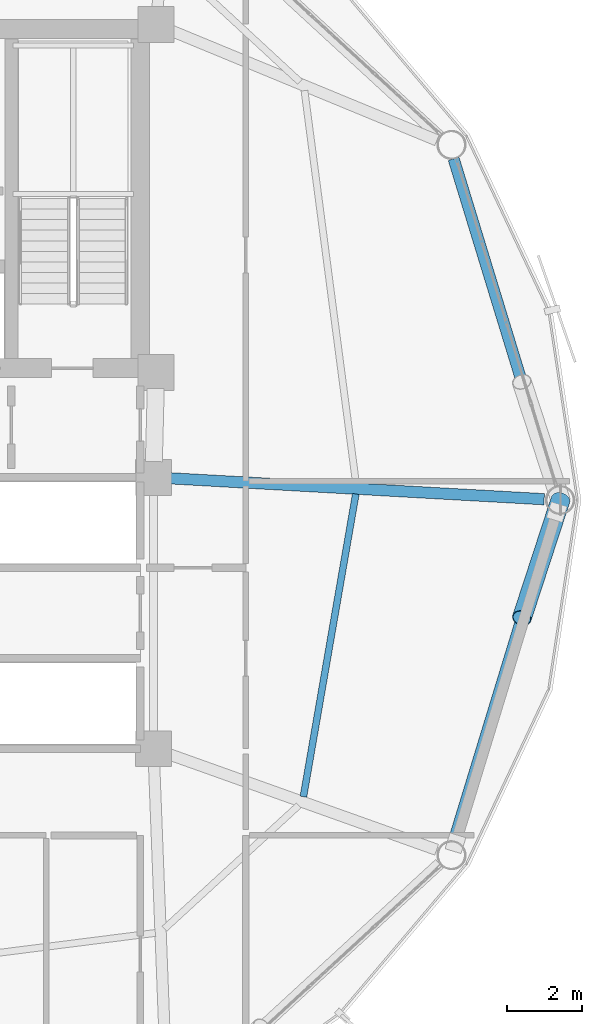
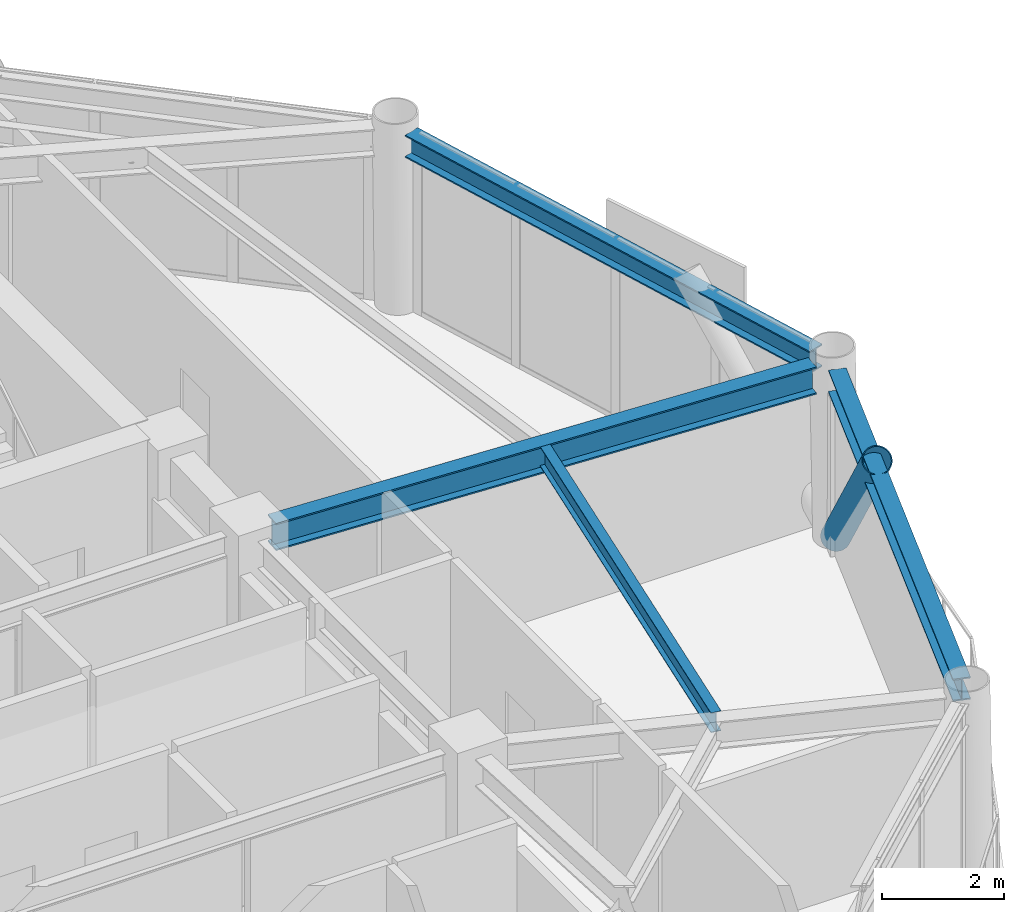
# One storey, part 15 of 25: 4 beams, 1 member.
"""IFC4 building model written with IfcOpenShell, lengths in metres."""

import ifcopenshell
import ifcopenshell.guid

model = None  # the IFC model being written
_history = None  # IfcOwnerHistory: only IFC2X3 demands one
_inside = {}  # id of a spatial element -> (the spatial element, [elements in it])
_under = {}  # id of a project, library or spatial element -> (it, [spatial elements below it])
_declared = {}  # id of a project -> (the project, [libraries it declares])
_typed = {}  # id of a type object -> (the type object, [elements of that type])
_made_of = {}  # id of a material, layer set ... -> (it, [elements and type objects made of it])


def new_model(schema):
    """Start an empty IFC model of exactly this schema.

    Asked for "IFC4X3", IfcOpenShell would pick the latest addendum, in which some entities
    have other attributes; the version numbers below select the first issue.
    IFC2X3 requires an IfcOwnerHistory on every rooted entity: one is made here for all.
    """
    global model, _history
    if schema == "IFC4X3":
        model = ifcopenshell.file(schema_version=(4, 3, 0, 0))
    else:
        model = ifcopenshell.file(schema=schema)
    _inside.clear()
    _under.clear()
    _declared.clear()
    _typed.clear()
    _made_of.clear()
    _history = None
    if model.schema == "IFC2X3":
        org = make("IfcOrganization", Name="unknown")
        user = make(
            "IfcPersonAndOrganization",
            ThePerson=make("IfcPerson", FamilyName="unknown"),
            TheOrganization=org,
        )
        app = make(
            "IfcApplication",
            ApplicationDeveloper=org,
            Version="unknown",
            ApplicationFullName="unknown",
            ApplicationIdentifier="unknown",
        )
        _history = make(
            "IfcOwnerHistory",
            OwningUser=user,
            OwningApplication=app,
            ChangeAction="ADDED",
            CreationDate=0,
        )
    return model


def make(cls, **values):
    """One entity of the class cls with the attributes given. An attribute that is None is left unset."""
    return model.create_entity(
        cls, **{name: value for name, value in values.items() if value is not None}
    )


def rooted(cls, **values):
    """An entity with a GlobalId (a new one), such as an element, a storey or a relation."""
    return make(cls, GlobalId=ifcopenshell.guid.new(), OwnerHistory=_history, **values)


def si_unit(unit_type, name, prefix=None):
    """IfcSIUnit, for example si_unit("LENGTHUNIT", "METRE", prefix="MILLI")."""
    return make("IfcSIUnit", UnitType=unit_type, Prefix=prefix, Name=name)


def assignment(units):
    """IfcUnitAssignment: the units of a project."""
    return None if units is None else make("IfcUnitAssignment", Units=units)


def point(xyz):
    """IfcCartesianPoint."""
    return None if xyz is None else make("IfcCartesianPoint", Coordinates=xyz)


def direction(xyz):
    """IfcDirection."""
    return None if xyz is None else make("IfcDirection", DirectionRatios=xyz)


def frame(location, z_axis=None, x_axis=None):
    """IfcAxis2Placement3D, a coordinate frame: its origin and axes. An axis left out is left unset."""
    return make(
        "IfcAxis2Placement3D",
        Location=point(location),
        Axis=direction(z_axis),
        RefDirection=direction(x_axis),
    )


def frame_2d(location, x_axis=None):
    """IfcAxis2Placement2D, a coordinate frame in the plane: its origin and x axis."""
    return make(
        "IfcAxis2Placement2D", Location=point(location), RefDirection=direction(x_axis)
    )


def origin():
    """The frame at (0, 0, 0) with its axes left unset."""
    return frame((0.0, 0.0, 0.0))


def origin_2d():
    """The frame at (0, 0) in the plane with its x axis left unset."""
    return frame_2d((0.0, 0.0))


def place(relative_to, where):
    """IfcLocalPlacement: puts the frame where relative to a parent placement (None: the world)."""
    return make(
        "IfcLocalPlacement", PlacementRelTo=relative_to, RelativePlacement=where
    )


def context(
    kind, dimensions, precision=None, world=None, true_north=None, identifier=None
):
    """IfcGeometricRepresentationContext, for example the 3D "Model" context."""
    return make(
        "IfcGeometricRepresentationContext",
        ContextIdentifier=identifier,
        ContextType=kind,
        CoordinateSpaceDimension=dimensions,
        Precision=precision,
        WorldCoordinateSystem=world,
        TrueNorth=true_north,
    )


def subcontext(parent, identifier, kind, view, scale=None):
    """IfcGeometricRepresentationSubContext, for example "Body" below "Model"."""
    return make(
        "IfcGeometricRepresentationSubContext",
        ContextIdentifier=identifier,
        ContextType=kind,
        ParentContext=parent,
        TargetScale=scale,
        TargetView=view,
    )


def project(units=None, contexts=None):
    """IfcProject with its units and contexts."""
    return rooted(
        "IfcProject",
        Name="project",
        RepresentationContexts=contexts,
        UnitsInContext=assignment(units),
    )


def spatial(cls, under=None, at=None, **own):
    """A site, building, storey or space (cls), placed at a placement, below another one or the project."""
    s = rooted(cls, ObjectPlacement=at, **own)
    if under is not None:
        _under.setdefault(under.id(), (under, []))[1].append(s)
    return s


def profile(cls, at=None, kind="AREA", **sizes):
    """A parametric profile (cls). Its sizes go by their IFC names, for example OverallWidth=200.0."""
    return make(cls, ProfileType=kind, Position=at, **sizes)


def hollow_circle(**sizes):
    """IfcCircleHollowProfileDef."""
    return profile("IfcCircleHollowProfileDef", **sizes)


def i_section(**sizes):
    """IfcIShapeProfileDef."""
    return profile("IfcIShapeProfileDef", **sizes)


def extrude(swept, where, along, depth):
    """IfcExtrudedAreaSolid: the profile swept, set in the frame where, extruded along a direction by depth."""
    return make(
        "IfcExtrudedAreaSolid",
        SweptArea=swept,
        Position=where,
        ExtrudedDirection=direction(along),
        Depth=depth,
    )


def shape(context_of_items, identifier, shape_type, items):
    """IfcShapeRepresentation: the items that make up one representation, for example the "Body"."""
    return make(
        "IfcShapeRepresentation",
        ContextOfItems=context_of_items,
        RepresentationIdentifier=identifier,
        RepresentationType=shape_type,
        Items=items,
    )


def material(Name=None, Category=None):
    """IfcMaterial."""
    return make("IfcMaterial", Name=Name, Category=Category)


def material_profile(
    of_material, cross_section, Name=None, Category=None, Priority=None
):
    """IfcMaterialProfile: a cross section and its material."""
    return make(
        "IfcMaterialProfile",
        Name=Name,
        Material=of_material,
        Profile=cross_section,
        Priority=Priority,
        Category=Category,
    )


def profile_set(profiles, Name=None, composite=None):
    """IfcMaterialProfileSet."""
    return make(
        "IfcMaterialProfileSet",
        Name=Name,
        MaterialProfiles=profiles,
        CompositeProfile=composite,
    )


def made_of(thing, what):
    """Note that an element or type object is made of a material, layer set ...; save() writes the relation."""
    if what is not None:
        _made_of.setdefault(what.id(), (what, []))[1].append(thing)
    return thing


def type_object(cls, material=None, **own):
    """A type object (cls), such as IfcWallType, which elements share."""
    return made_of(rooted(cls, **own), material)


def element(
    cls,
    number,
    at=None,
    inside=None,
    cuts=None,
    type_object=None,
    material=None,
    context=None,
    identifier="Body",
    shape_type=None,
    held_by="IfcProductDefinitionShape",
    body=None,
    shapes=None,
    **own,
):
    """One element of the class cls, such as IfcWall. Its Tag is "e" and its number.

    at: its placement. inside: the storey or other place that contains it. cuts: it is an
    opening in that element (IfcRelVoidsElement). A single representation is given by context,
    identifier, shape_type and body (its items); several are given by shapes. held_by: the class
    of the entity that holds the representations. save() writes the other relations.
    """
    e = rooted(cls, Tag="e%d" % number, ObjectPlacement=at, **own)
    if body is not None:
        shapes = [shape(context, identifier, shape_type, body)]
    if shapes is not None:
        e.Representation = make(held_by, Representations=shapes)
    if inside is not None:
        _inside.setdefault(inside.id(), (inside, []))[1].append(e)
    if cuts is not None:
        rooted(
            "IfcRelVoidsElement", RelatingBuildingElement=cuts, RelatedOpeningElement=e
        )
    if type_object is not None:
        _typed.setdefault(type_object.id(), (type_object, []))[1].append(e)
    return made_of(e, material)


def aggregate(whole, parts):
    """IfcRelAggregates: a whole, such as a stair, and the parts it consists of."""
    return rooted("IfcRelAggregates", RelatingObject=whole, RelatedObjects=parts)


def save(model, path):
    """Write the relations noted so far, then the file.

    IfcRelAggregates (storeys below a building ...), IfcRelContainedInSpatialStructure (elements
    in a storey), IfcRelDefinesByType, IfcRelAssociatesMaterial and IfcRelDeclares: one each for
    every whole, place, type object, material and project.
    """
    for whole, parts in _under.values():
        aggregate(whole, parts)
    for where, things in _inside.values():
        rooted(
            "IfcRelContainedInSpatialStructure",
            RelatedElements=things,
            RelatingStructure=where,
        )
    for kind, things in _typed.values():
        rooted("IfcRelDefinesByType", RelatedObjects=things, RelatingType=kind)
    for what, things in _made_of.values():
        rooted("IfcRelAssociatesMaterial", RelatedObjects=things, RelatingMaterial=what)
    for by, libraries in _declared.values():
        rooted("IfcRelDeclares", RelatingContext=by, RelatedDefinitions=libraries)
    model.write(path)


model = new_model("IFC4")

# Units and contexts
model_context = context("Model", 3, precision=1e-05, world=origin(), true_north=direction((0.0, 1.0)))
body_context = subcontext(model_context, "Body", "Model", "MODEL_VIEW")
ifc_project = project(units=[si_unit("LENGTHUNIT", "METRE"), si_unit("AREAUNIT", "SQUARE_METRE"), si_unit("VOLUMEUNIT", "CUBIC_METRE"), si_unit("PLANEANGLEUNIT", "RADIAN"), si_unit("MASSUNIT", "GRAM", prefix="KILO")], contexts=[model_context])

# Site, building, storey
site_placement = place(None, origin())
site = spatial("IfcSite", under=ifc_project, at=site_placement, CompositionType="ELEMENT")
building_placement = place(site_placement, origin())
building = spatial("IfcBuilding", under=site, at=building_placement, Name="Varnakorn Sky Granary", CompositionType="ELEMENT")
storey_placement = place(building_placement, frame((0.0, 0.0, 157.800048828125)))
storey = spatial("IfcBuildingStorey", under=building, at=storey_placement, Name="L39", CompositionType="ELEMENT", Elevation=157.800048828125)

# Beams
ifc_material_1 = material(Name="Steel S355JR", Category="steel")
ifc_material_profile_1 = material_profile(ifc_material_1, i_section(OverallWidth=0.300048828125, OverallDepth=0.550048828125, WebThickness=0.014892578125, FlangeThickness=0.029052734375, at=origin_2d()), Name="HE 550 B")
ifc_profile_set_1 = profile_set([ifc_material_profile_1], Name="Steel S355JR")
beam_type_1 = type_object("IfcBeamType", Name="BM-RAD-Z3", PredefinedType="BEAM", material=ifc_profile_set_1)
beam_1_placement = place(storey_placement, frame((8.769287109375, 0.57666015625, 3.364990234375), z_axis=(0.99844099208, -0.055817428584, 0.0), x_axis=(0.055817428584, 0.99844099208, 0.0)))
element("IfcBeam", 1, at=beam_1_placement, inside=storey, type_object=beam_type_1, Name="Radial Floor Girder RG01 L39", PredefinedType="BEAM", context=body_context, shape_type="SweptSolid", body=[
    extrude(i_section(OverallWidth=0.300048828125, OverallDepth=0.550048828125, WebThickness=0.014892578125, FlangeThickness=0.029052734375, at=origin_2d()), origin(), (0.0, 0.0, 1.0), 9.9638671875),
])
ifc_material_profile_2 = material_profile(ifc_material_1, i_section(OverallWidth=0.179931640625, OverallDepth=0.39990234375, WebThickness=0.008544921875, FlangeThickness=0.013427734375, at=origin_2d()), Name="IPE 400")
ifc_profile_set_2 = profile_set([ifc_material_profile_2], Name="Steel S355JR")
beam_type_2 = type_object("IfcBeamType", Name="BM-SEC-Z3", PredefinedType="BEAM", material=ifc_profile_set_2)
beam_2_placement = place(storey_placement, frame((12.32861328125, -7.873779296875, 3.43994140625), z_axis=(0.170576653817, 0.985344409419, 0.0), x_axis=(-0.985344409419, 0.170576653817, 0.0)))
element("IfcBeam", 2, at=beam_2_placement, inside=storey, type_object=beam_type_2, Name="Secondary Floor Chord Beam MSB12 L39", PredefinedType="BEAM", context=body_context, shape_type="SweptSolid", body=[
    extrude(i_section(OverallWidth=0.179931640625, OverallDepth=0.39990234375, WebThickness=0.008544921875, FlangeThickness=0.013427734375, at=origin_2d()), origin(), (0.0, 0.0, 1.0), 8.15380859375),
])
ifc_material_profile_3 = material_profile(ifc_material_1, i_section(OverallWidth=0.300048828125, OverallDepth=0.449951171875, WebThickness=0.013916015625, FlangeThickness=0.02587890625, at=origin_2d()), Name="HE 450 B")
ifc_profile_set_3 = profile_set([ifc_material_profile_3], Name="Steel S355JR")
beam_type_3 = type_object("IfcBeamType", Name="BM-SPD-Z3", PredefinedType="SPANDREL", material=ifc_profile_set_3)
for number, where, z_axis, x_axis, name in (
    (3, (18.97607421875, 0.35009765625, 3.4150390625), (-0.292302349769, 0.95632595715, 0.0), (-0.95632595715, -0.292302349769, 0.0), "Perimeter Spandrel Ring Beam RB01 L39"),
    (4, (16.3154296875, -9.054931640625, 3.4150390625), (0.292302349769, 0.95632595715, 0.0), (-0.95632595715, 0.292302349769, 0.0), "Perimeter Spandrel Ring Beam RB12 L39"),
):
    element("IfcBeam", number, at=place(storey_placement, frame(where, z_axis=z_axis, x_axis=x_axis)), inside=storey, type_object=beam_type_3, Name=name, PredefinedType="SPANDREL", context=body_context, shape_type="SweptSolid", body=[
        extrude(i_section(OverallWidth=0.300048828125, OverallDepth=0.449951171875, WebThickness=0.013916015625, FlangeThickness=0.02587890625, at=origin_2d()), origin(), (0.0, 0.0, 1.0), 9.102294921875),
    ])

# Member
ifc_material_2 = material(Name="Steel S460M", Category="steel")
ifc_material_profile_4 = material_profile(ifc_material_2, hollow_circle(Radius=0.25390625, WallThickness=0.01806640625, at=origin_2d()), Name="CHS 508x18")
ifc_profile_set_4 = profile_set([ifc_material_profile_4], Name="Steel S460M")
member_type = type_object("IfcMemberType", Name="MB-DIAG-T2", PredefinedType="BRACE", material=ifc_profile_set_4)
member_placement = place(storey_placement, frame((19.14990234375, 0.0, 0.0), z_axis=(-0.20403760447, -0.623969249582, 0.754341455534), x_axis=(0.950473881484, -0.310804441115, 0.0)))
element("IfcMember", 5, at=member_placement, inside=storey, type_object=member_type, Name="Perimeter CHS Diagrid Brace DG12 L39", PredefinedType="BRACE", context=body_context, shape_type="SweptSolid", body=[
    extrude(hollow_circle(Radius=0.25390625, WallThickness=0.01806640625, at=origin_2d()), origin(), (0.0, 0.0, 1.0), 5.0244140625),
])

save(model, "model.ifc")
